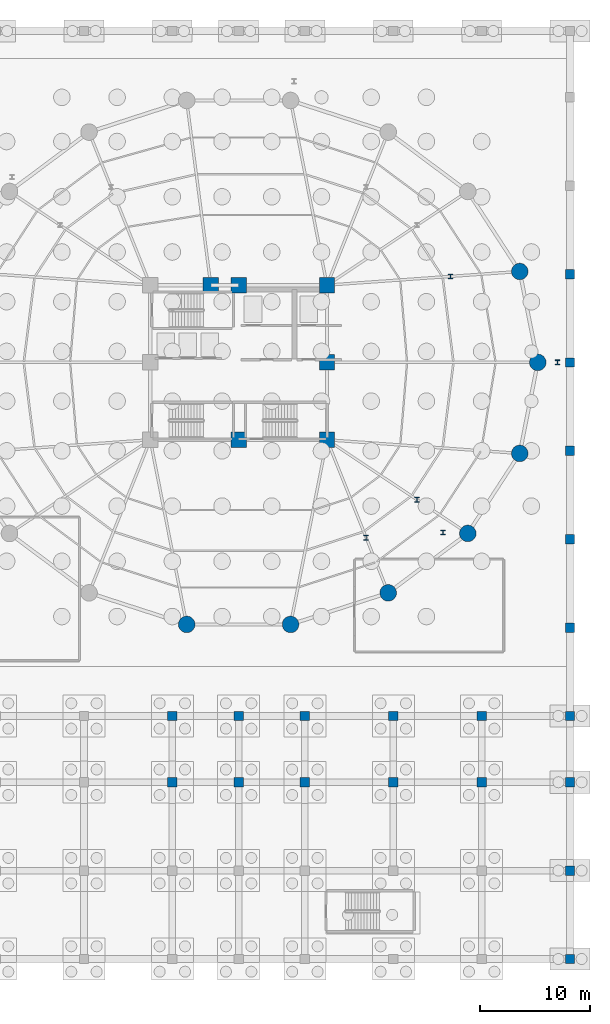
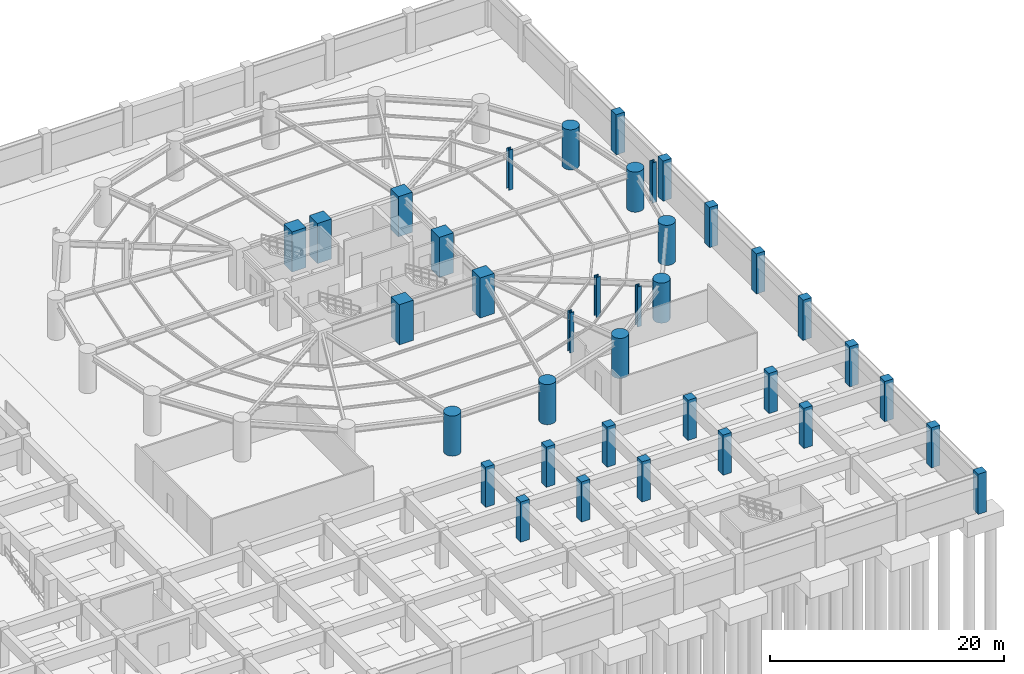
# One storey, part 5 of 23: 37 columns.
"""IFC4 building model written with IfcOpenShell, lengths in metres."""

from ifc_helpers import new_model, si_unit, direction, frame, origin, origin_2d, place, context, subcontext, project, spatial, rectangle, circle, i_section, extrude, material, material_profile, profile_set, type_object, element, save


model = new_model("IFC4")

# Units and contexts
model_context = context("Model", 3, precision=1e-05, world=origin(), true_north=direction((0.0, 1.0)))
body_context = subcontext(model_context, "Body", "Model", "MODEL_VIEW")
ifc_project = project(units=[si_unit("LENGTHUNIT", "METRE"), si_unit("AREAUNIT", "SQUARE_METRE"), si_unit("VOLUMEUNIT", "CUBIC_METRE"), si_unit("PLANEANGLEUNIT", "RADIAN"), si_unit("MASSUNIT", "GRAM", prefix="KILO")], contexts=[model_context])

# Site, building, storey
site_placement = place(None, origin())
site = spatial("IfcSite", under=ifc_project, at=site_placement, CompositionType="ELEMENT")
building_placement = place(site_placement, origin())
building = spatial("IfcBuilding", under=site, at=building_placement, Name="Kelanora Arch Commons", CompositionType="ELEMENT")
storey_placement = place(building_placement, frame((0.0, 0.0, -8.39990234375)))
storey = spatial("IfcBuildingStorey", under=building, at=storey_placement, Name="B02", CompositionType="ELEMENT", Elevation=-8.39990234375)

# Columns
ifc_material_1 = material(Name="Steel S355", Category="steel")
ifc_material_profile_1 = material_profile(ifc_material_1, i_section(OverallWidth=0.41796875, OverallDepth=0.455078125, WebThickness=0.0419921875, FlangeThickness=0.0673828125, FilletRadius=0.014892578125, at=origin_2d()), Name="HD400x551")
ifc_profile_set_1 = profile_set([ifc_material_profile_1], Name="Steel S355")
column_type_1 = type_object("IfcColumnType", Name="COL-ABUT", PredefinedType="COLUMN", material=ifc_profile_set_1)
column_placement = place(storey_placement, frame((102.85009765625, 58.0, 0.0), z_axis=(0.0, 0.0, 1.0), x_axis=(1.0, 0.0, 0.0)))
element("IfcColumn", 1, at=column_placement, inside=storey, type_object=column_type_1, Name="Giant Arch Abutment Thrust Column 1 B02", PredefinedType="COLUMN", context=body_context, shape_type="SweptSolid", body=[
    extrude(i_section(OverallWidth=0.41796875, OverallDepth=0.455078125, WebThickness=0.0419921875, FlangeThickness=0.0673828125, FilletRadius=0.014892578125, at=origin_2d()), origin(), (0.0, 0.0, 1.0), 4.199951171875),
])
ifc_material_2 = material(Name="Concrete C50/60", Category="concrete")
ifc_material_profile_2 = material_profile(ifc_material_2, rectangle(XDim=0.85009765625, YDim=0.85009765625, at=origin_2d()), Name="RC850x850")
ifc_profile_set_2 = profile_set([ifc_material_profile_2], Name="Concrete C50/60")
column_type_2 = type_object("IfcColumnType", Name="COL-BSMT", PredefinedType="COLUMN", material=ifc_profile_set_2)
for number, where, z_axis, x_axis, name in (
    (2, (68.0, 20.0, 0.0), (0.0, 0.0, 1.0), (1.0, 0.0, 0.0), "Basement Column 9-C B02"),
    (3, (68.0, 26.0, 0.0), (0.0, 0.0, 1.0), (1.0, 0.0, 0.0), "Basement Column 9-D B02"),
    (4, (74.0, 20.0, 0.0), (0.0, 0.0, 1.0), (1.0, 0.0, 0.0), "Basement Column 10-C B02"),
    (5, (74.0, 26.0, 0.0), (0.0, 0.0, 1.0), (1.0, 0.0, 0.0), "Basement Column 10-D B02"),
    (6, (80.0, 20.0, 0.0), (0.0, 0.0, 1.0), (1.0, 0.0, 0.0), "Basement Column 11-C B02"),
    (7, (80.0, 26.0, 0.0), (0.0, 0.0, 1.0), (1.0, 0.0, 0.0), "Basement Column 11-D B02"),
    (8, (88.0, 20.0, 0.0), (0.0, 0.0, 1.0), (1.0, 0.0, 0.0), "Basement Column 12-C B02"),
    (9, (88.0, 26.0, 0.0), (0.0, 0.0, 1.0), (1.0, 0.0, 0.0), "Basement Column 12-D B02"),
    (10, (96.0, 20.0, 0.0), (0.0, 0.0, 1.0), (1.0, 0.0, 0.0), "Basement Column 13-C B02"),
    (11, (96.0, 26.0, 0.0), (0.0, 0.0, 1.0), (1.0, 0.0, 0.0), "Basement Column 13-D B02"),
    (12, (104.0, 4.0, 0.0), (0.0, 0.0, 1.0), (1.0, 0.0, 0.0), "Basement Column 14-A B02"),
    (13, (104.0, 12.0, 0.0), (0.0, 0.0, 1.0), (1.0, 0.0, 0.0), "Basement Column 14-B B02"),
    (14, (104.0, 20.0, 0.0), (0.0, 0.0, 1.0), (1.0, 0.0, 0.0), "Basement Column 14-C B02"),
    (15, (104.0, 26.0, 0.0), (0.0, 0.0, 1.0), (1.0, 0.0, 0.0), "Basement Column 14-D B02"),
    (16, (104.0, 34.0, 0.0), (0.0, 0.0, 1.0), (1.0, 0.0, 0.0), "Basement Column 14-E B02"),
    (17, (104.0, 42.0, 0.0), (0.0, 0.0, 1.0), (1.0, 0.0, 0.0), "Basement Column 14-F B02"),
    (18, (104.0, 50.0, 0.0), (0.0, 0.0, 1.0), (1.0, 0.0, 0.0), "Basement Column 14-G B02"),
    (19, (104.0, 58.0, 0.0), (0.0, 0.0, 1.0), (1.0, 0.0, 0.0), "Basement Column 14-H B02"),
    (20, (104.0, 66.0, 0.0), (0.0, 0.0, 1.0), (1.0, 0.0, 0.0), "Basement Column 14-J B02"),
):
    element("IfcColumn", number, at=place(storey_placement, frame(where, z_axis=z_axis, x_axis=x_axis)), inside=storey, type_object=column_type_2, Name=name, PredefinedType="COLUMN", context=body_context, shape_type="SweptSolid", body=[
        extrude(rectangle(XDim=0.85009765625, YDim=0.85009765625, at=origin_2d()), origin(), (0.0, 0.0, 1.0), 4.199951171875),
    ])
ifc_material_3 = material(Name="Concrete C60/75", Category="concrete")
ifc_material_profile_3 = material_profile(ifc_material_3, circle(Radius=0.75, at=origin_2d()), Name="RCC1500")
ifc_profile_set_3 = profile_set([ifc_material_profile_3], Name="Concrete C60/75")
column_type_3 = type_object("IfcColumnType", Name="COL-PERIM-Z1", PredefinedType="COLUMN", material=ifc_profile_set_3)
for number, where, z_axis, x_axis, name in (
    (21, (101.080078125, 58.0, 0.0), (0.0, 0.0, 1.0), (1.0, 0.0, 0.0), "Perimeter Ring Column CP-00 B02"),
    (22, (99.447021484375, 66.23583984375, 0.0), (0.0, 0.0, 1.0), (1.0, 0.0, 0.0), "Perimeter Ring Column CP-02 B02"),
    (23, (69.297607421875, 34.285888671875, 0.0), (0.0, 0.0, 1.0), (1.0, 0.0, 0.0), "Perimeter Ring Column CP-26 B02"),
    (24, (78.702392578125, 34.285888671875, 0.0), (0.0, 0.0, 1.0), (1.0, 0.0, 0.0), "Perimeter Ring Column CP-28 B02"),
    (25, (87.5400390625, 37.14599609375, 0.0), (0.0, 0.0, 1.0), (1.0, 0.0, 0.0), "Perimeter Ring Column CP-30 B02"),
    (26, (94.744384765625, 42.521728515625, 0.0), (0.0, 0.0, 1.0), (1.0, 0.0, 0.0), "Perimeter Ring Column CP-32 B02"),
    (27, (99.447021484375, 49.76416015625, 0.0), (0.0, 0.0, 1.0), (1.0, 0.0, 0.0), "Perimeter Ring Column CP-34 B02"),
):
    element("IfcColumn", number, at=place(storey_placement, frame(where, z_axis=z_axis, x_axis=x_axis)), inside=storey, type_object=column_type_3, Name=name, PredefinedType="COLUMN", context=body_context, shape_type="SweptSolid", body=[
        extrude(circle(Radius=0.75, at=origin_2d()), origin(), (0.0, 0.0, 1.0), 4.199951171875),
    ])
ifc_material_profile_4 = material_profile(ifc_material_3, rectangle(XDim=1.39990234375, YDim=1.39990234375, at=origin_2d()), Name="RC1400x1400")
ifc_profile_set_4 = profile_set([ifc_material_profile_4], Name="Concrete C60/75")
column_type_4 = type_object("IfcColumnType", Name="COL-PIL-LOW", PredefinedType="PILASTER", material=ifc_profile_set_4)
for number, where, z_axis, x_axis, name in (
    (28, (74.0, 51.0, 0.0), (0.0, 0.0, 1.0), (1.0, 0.0, 0.0), "Core Pilaster Column CP2 B02"),
    (29, (82.0, 51.0, 0.0), (0.0, 0.0, 1.0), (1.0, 0.0, 0.0), "Core Pilaster Column CP3 B02"),
    (30, (82.0, 58.0, 0.0), (0.0, 0.0, 1.0), (1.0, 0.0, 0.0), "Core Pilaster Column CP4 B02"),
    (31, (82.0, 65.0, 0.0), (0.0, 0.0, 1.0), (1.0, 0.0, 0.0), "Core Pilaster Column CP5 B02"),
    (32, (74.0, 65.0, 0.0), (0.0, 0.0, 1.0), (1.0, 0.0, 0.0), "Core Pilaster Column CP6 B02"),
    (33, (71.47998046875, 65.0, 0.0), (0.0, 0.0, 1.0), (1.0, 0.0, 0.0), "Core Pilaster Column CP9 B02"),
):
    element("IfcColumn", number, at=place(storey_placement, frame(where, z_axis=z_axis, x_axis=x_axis)), inside=storey, type_object=column_type_4, Name=name, PredefinedType="PILASTER", context=body_context, shape_type="SweptSolid", body=[
        extrude(rectangle(XDim=1.39990234375, YDim=1.39990234375, at=origin_2d()), origin(), (0.0, 0.0, 1.0), 4.199951171875),
    ])
ifc_material_profile_5 = material_profile(ifc_material_1, i_section(OverallWidth=0.406005859375, OverallDepth=0.416015625, WebThickness=0.029052734375, FlangeThickness=0.048095703125, FilletRadius=0.014892578125, at=origin_2d()), Name="HD400x382")
ifc_profile_set_5 = profile_set([ifc_material_profile_5], Name="Steel S355")
column_type_5 = type_object("IfcColumnType", Name="COL-PORCH", PredefinedType="COLUMN", material=ifc_profile_set_5)
for number, where, z_axis, x_axis, name in (
    (34, (93.166015625, 65.791015625, 0.0), (0.0, 0.0, 1.0), (1.0, 0.0, 0.0), "Recessed Arch Portal Column CAP-02 B02"),
    (35, (85.545654296875, 42.133544921875, 0.0), (0.0, 0.0, 1.0), (1.0, 0.0, 0.0), "Recessed Courtyard Column CCC-30 B02"),
    (36, (90.156494140625, 45.573974609375, 0.0), (0.0, 0.0, 1.0), (1.0, 0.0, 0.0), "Recessed Courtyard Column CCC-32 B02"),
    (37, (92.5, 42.60009765625, 0.0), (0.0, 0.0, 1.0), (1.0, 0.0, 0.0), "Courtyard Pergola Column SE B02"),
):
    element("IfcColumn", number, at=place(storey_placement, frame(where, z_axis=z_axis, x_axis=x_axis)), inside=storey, type_object=column_type_5, Name=name, PredefinedType="COLUMN", context=body_context, shape_type="SweptSolid", body=[
        extrude(i_section(OverallWidth=0.406005859375, OverallDepth=0.416015625, WebThickness=0.029052734375, FlangeThickness=0.048095703125, FilletRadius=0.014892578125, at=origin_2d()), origin(), (0.0, 0.0, 1.0), 4.199951171875),
    ])

save(model, "model.ifc")
